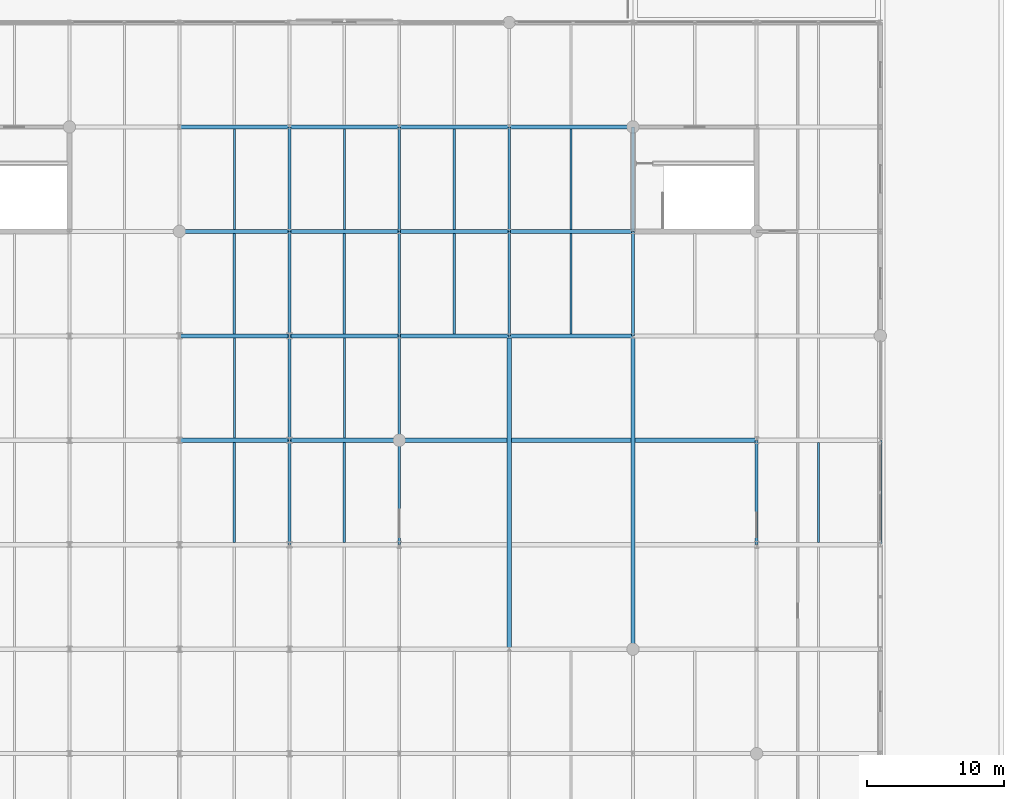
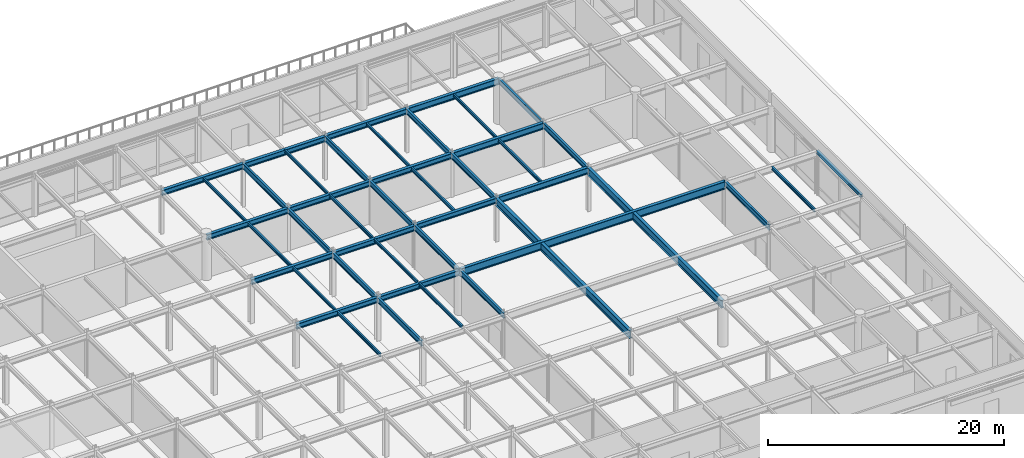
# One storey, part 20 of 43: 44 beams.
"""IFC4 building model written with IfcOpenShell, lengths in metres."""

from ifc_helpers import new_model, si_unit, direction, frame, origin, origin_2d, place, context, subcontext, project, spatial, i_section, extrude, material, material_profile, profile_set, type_object, element, save


model = new_model("IFC4")

# Units and contexts
model_context = context("Model", 3, precision=1e-05, world=origin(), true_north=direction((0.0, 1.0)))
body_context = subcontext(model_context, "Body", "Model", "MODEL_VIEW")
ifc_project = project(units=[si_unit("LENGTHUNIT", "METRE"), si_unit("AREAUNIT", "SQUARE_METRE"), si_unit("VOLUMEUNIT", "CUBIC_METRE"), si_unit("PLANEANGLEUNIT", "RADIAN"), si_unit("MASSUNIT", "GRAM", prefix="KILO")], contexts=[model_context])

# Site, building, storey
site_placement = place(None, origin())
site = spatial("IfcSite", under=ifc_project, at=site_placement, CompositionType="ELEMENT")
building_placement = place(site_placement, origin())
building = spatial("IfcBuilding", under=site, at=building_placement, Name="Shalkamar Park Central Library", CompositionType="ELEMENT")
storey_placement = place(building_placement, frame((0.0, 0.0, 15.60009765625)))
storey = spatial("IfcBuildingStorey", under=building, at=storey_placement, Name="L04", CompositionType="ELEMENT", Elevation=15.60009765625)

# Beams
ifc_material = material(Name="Steel S355", Category="steel")
ifc_material_profile_1 = material_profile(ifc_material, i_section(OverallWidth=0.14990234375, OverallDepth=0.300048828125, WebThickness=0.007080078125, FlangeThickness=0.0107421875, FilletRadius=0.014892578125, at=origin_2d()), Name="IPE 300")
ifc_profile_set_1 = profile_set([ifc_material_profile_1], Name="Steel S355")
beam_type_1 = type_object("IfcBeamType", Name="Composite Floor Joist IPE300", PredefinedType="JOIST", material=ifc_profile_set_1)
for number, where, z_axis, x_axis, name in (
    (1, (217.0, 285.748046875, 4.329833984375), (0.0, 1.0, 0.0), (-1.0, 0.0, 0.0), "Composite Joist 13/G-1 (L04)"),
    (2, (217.0, 300.947998046875, 4.329833984375), (0.0, 1.0, 0.0), (-1.0, 0.0, 0.0), "Composite Joist 13/J-1 (L04)"),
    (3, (225.0, 285.748046875, 4.419921875), (0.0, 1.0, 0.0), (-1.0, 0.0, 0.0), "Composite Joist 14/G-1 (L04)"),
    (4, (225.0, 300.947998046875, 4.39990234375), (0.0, 1.0, 0.0), (-1.0, 0.0, 0.0), "Composite Joist 14/J-1 (L04)"),
    (5, (233.0, 300.947998046875, 4.39990234375), (0.0, 1.0, 0.0), (-1.0, 0.0, 0.0), "Composite Joist 15/J-1 (L04)"),
    (6, (241.5, 300.947998046875, 4.39990234375), (0.0, 1.0, 0.0), (-1.0, 0.0, 0.0), "Composite Joist 16/J-1 (L04)"),
):
    element("IfcBeam", number, at=place(storey_placement, frame(where, z_axis=z_axis, x_axis=x_axis)), inside=storey, type_object=beam_type_1, Name=name, PredefinedType="JOIST", context=body_context, shape_type="SweptSolid", body=[
        extrude(i_section(OverallWidth=0.14990234375, OverallDepth=0.300048828125, WebThickness=0.007080078125, FlangeThickness=0.0107421875, FilletRadius=0.014892578125, at=origin_2d()), origin(), (0.0, 0.0, 1.0), 7.303955078125),
    ])
ifc_material_profile_2 = material_profile(ifc_material, i_section(OverallWidth=0.159912109375, OverallDepth=0.330078125, WebThickness=0.007568359375, FlangeThickness=0.011474609375, FilletRadius=0.01806640625, at=origin_2d()), Name="IPE 330")
ifc_profile_set_2 = profile_set([ifc_material_profile_2], Name="Steel S355")
beam_type_2 = type_object("IfcBeamType", Name="Composite Floor Joist IPE330", PredefinedType="JOIST", material=ifc_profile_set_2)
beam_1_placement = place(storey_placement, frame((217.0, 278.14794921875, 4.31494140625), z_axis=(0.0, 1.0, 0.0), x_axis=(-1.0, 0.0, 0.0)))
element("IfcBeam", 7, at=beam_1_placement, inside=storey, type_object=beam_type_2, Name="Composite Joist 13/F-1 (L04)", PredefinedType="JOIST", context=body_context, shape_type="SweptSolid", body=[
    extrude(i_section(OverallWidth=0.159912109375, OverallDepth=0.330078125, WebThickness=0.007568359375, FlangeThickness=0.011474609375, FilletRadius=0.01806640625, at=origin_2d()), origin(), (0.0, 0.0, 1.0), 7.303955078125),
])
beam_2_placement = place(storey_placement, frame((217.0, 293.347900390625, 4.31494140625), z_axis=(0.0, 1.0, 0.0), x_axis=(-1.0, 0.0, 0.0)))
element("IfcBeam", 8, at=beam_2_placement, inside=storey, type_object=beam_type_2, Name="Composite Joist 13/H-1 (L04)", PredefinedType="JOIST", context=body_context, shape_type="SweptSolid", body=[
    extrude(i_section(OverallWidth=0.159912109375, OverallDepth=0.330078125, WebThickness=0.007568359375, FlangeThickness=0.011474609375, FilletRadius=0.01806640625, at=origin_2d()), origin(), (0.0, 0.0, 1.0), 7.30419921875),
])
beam_3_placement = place(storey_placement, frame((225.0, 278.14794921875, 4.40478515625), z_axis=(0.0, 1.0, 0.0), x_axis=(-1.0, 0.0, 0.0)))
element("IfcBeam", 9, at=beam_3_placement, inside=storey, type_object=beam_type_2, Name="Composite Joist 14/F-1 (L04)", PredefinedType="JOIST", context=body_context, shape_type="SweptSolid", body=[
    extrude(i_section(OverallWidth=0.159912109375, OverallDepth=0.330078125, WebThickness=0.007568359375, FlangeThickness=0.011474609375, FilletRadius=0.01806640625, at=origin_2d()), origin(), (0.0, 0.0, 1.0), 7.303955078125),
])
for number, where, z_axis, x_axis, name in (
    (10, (225.0, 293.347900390625, 4.385009765625), (0.0, 1.0, 0.0), (-1.0, 0.0, 0.0), "Composite Joist 14/H-1 (L04)"),
    (11, (233.0, 293.347900390625, 4.385009765625), (0.0, 1.0, 0.0), (-1.0, 0.0, 0.0), "Composite Joist 15/H-1 (L04)"),
    (12, (241.5, 293.347900390625, 4.385009765625), (0.0, 1.0, 0.0), (-1.0, 0.0, 0.0), "Composite Joist 16/H-1 (L04)"),
):
    element("IfcBeam", number, at=place(storey_placement, frame(where, z_axis=z_axis, x_axis=x_axis)), inside=storey, type_object=beam_type_2, Name=name, PredefinedType="JOIST", context=body_context, shape_type="SweptSolid", body=[
        extrude(i_section(OverallWidth=0.159912109375, OverallDepth=0.330078125, WebThickness=0.007568359375, FlangeThickness=0.011474609375, FilletRadius=0.01806640625, at=origin_2d()), origin(), (0.0, 0.0, 1.0), 7.30419921875),
    ])
beam_4_placement = place(storey_placement, frame((259.5, 278.14794921875, 4.40478515625), z_axis=(0.0, 1.0, 0.0), x_axis=(-1.0, 0.0, 0.0)))
element("IfcBeam", 13, at=beam_4_placement, inside=storey, type_object=beam_type_2, Name="Composite Joist 18/F-1 (L04)", PredefinedType="JOIST", context=body_context, shape_type="SweptSolid", body=[
    extrude(i_section(OverallWidth=0.159912109375, OverallDepth=0.330078125, WebThickness=0.007568359375, FlangeThickness=0.011474609375, FilletRadius=0.01806640625, at=origin_2d()), origin(), (0.0, 0.0, 1.0), 7.303955078125),
])
ifc_material_profile_3 = material_profile(ifc_material, i_section(OverallWidth=0.280029296875, OverallDepth=0.27001953125, WebThickness=0.008056640625, FlangeThickness=0.012939453125, FilletRadius=0.02392578125, at=origin_2d()), Name="HEA 280")
ifc_profile_set_3 = profile_set([ifc_material_profile_3], Name="Steel S355")
beam_type_3 = type_object("IfcBeamType", Name="Perimeter Spandrel Beam HEA280", PredefinedType="SPANDREL", material=ifc_profile_set_3)
beam_5_placement = place(storey_placement, frame((264.0, 278.0, 4.434814453125), z_axis=(0.0, 1.0, 0.0), x_axis=(-1.0, 0.0, 0.0)))
element("IfcBeam", 14, at=beam_5_placement, inside=storey, type_object=beam_type_3, Name="Beam 19:F-G (L04)", PredefinedType="SPANDREL", context=body_context, shape_type="SweptSolid", body=[
    extrude(i_section(OverallWidth=0.280029296875, OverallDepth=0.27001953125, WebThickness=0.008056640625, FlangeThickness=0.012939453125, FilletRadius=0.02392578125, at=origin_2d()), origin(), (0.0, 0.0, 1.0), 7.60009765625),
])
ifc_material_profile_4 = material_profile(ifc_material, i_section(OverallWidth=0.300048828125, OverallDepth=0.550048828125, WebThickness=0.014892578125, FlangeThickness=0.029052734375, FilletRadius=0.027099609375, at=origin_2d()), Name="HEB 550")
ifc_profile_set_4 = profile_set([ifc_material_profile_4], Name="Steel S355")
beam_type_4 = type_object("IfcBeamType", Name="Primary Girder HEB550", PredefinedType="BEAM", material=ifc_profile_set_4)
for number, where, z_axis, x_axis, name in (
    (15, (213.0, 285.60009765625, 4.204833984375), (1.0, 0.0, 0.0), (0.0, 1.0, 0.0), "Beam G:13-14 (L04)"),
    (16, (221.0, 285.60009765625, 4.204833984375), (1.0, 0.0, 0.0), (0.0, 1.0, 0.0), "Beam G:14-15 (L04)"),
    (17, (213.0, 293.199951171875, 4.204833984375), (1.0, 0.0, 0.0), (0.0, 1.0, 0.0), "Beam H:13-14 (L04)"),
    (18, (221.0, 293.199951171875, 4.204833984375), (1.0, 0.0, 0.0), (0.0, 1.0, 0.0), "Beam H:14-15 (L04)"),
    (19, (229.0, 293.199951171875, 4.27490234375), (1.0, 0.0, 0.0), (0.0, 1.0, 0.0), "Beam H:15-16 (L04)"),
    (20, (213.0, 300.800048828125, 4.204833984375), (1.0, 0.0, 0.0), (0.0, 1.0, 0.0), "Beam J:13-14 (L04)"),
    (21, (221.0, 300.800048828125, 4.204833984375), (1.0, 0.0, 0.0), (0.0, 1.0, 0.0), "Beam J:14-15 (L04)"),
    (22, (229.0, 300.800048828125, 4.27490234375), (1.0, 0.0, 0.0), (0.0, 1.0, 0.0), "Beam J:15-16 (L04)"),
    (23, (213.0, 308.39990234375, 4.204833984375), (1.0, 0.0, 0.0), (0.0, 1.0, 0.0), "Beam K:13-14 (L04)"),
    (24, (221.0, 308.39990234375, 4.204833984375), (1.0, 0.0, 0.0), (0.0, 1.0, 0.0), "Beam K:14-15 (L04)"),
    (25, (229.0, 308.39990234375, 4.27490234375), (1.0, 0.0, 0.0), (0.0, 1.0, 0.0), "Beam K:15-16 (L04)"),
):
    element("IfcBeam", number, at=place(storey_placement, frame(where, z_axis=z_axis, x_axis=x_axis)), inside=storey, type_object=beam_type_4, Name=name, PredefinedType="BEAM", context=body_context, shape_type="SweptSolid", body=[
        extrude(i_section(OverallWidth=0.300048828125, OverallDepth=0.550048828125, WebThickness=0.014892578125, FlangeThickness=0.029052734375, FilletRadius=0.027099609375, at=origin_2d()), origin(), (0.0, 0.0, 1.0), 8.0),
    ])
ifc_material_profile_5 = material_profile(ifc_material, i_section(OverallWidth=0.300048828125, OverallDepth=0.64990234375, WebThickness=0.01611328125, FlangeThickness=0.031005859375, FilletRadius=0.027099609375, at=origin_2d()), Name="HEB 650")
ifc_profile_set_5 = profile_set([ifc_material_profile_5], Name="Steel S355")
beam_type_5 = type_object("IfcBeamType", Name="Primary Girder HEB650", PredefinedType="BEAM", material=ifc_profile_set_5)
for number, where, z_axis, x_axis, name in (
    (26, (237.0, 293.199951171875, 4.224853515625), (1.0, 0.0, 0.0), (0.0, 1.0, 0.0), "Beam H:16-17 (L04)"),
    (27, (237.0, 300.800048828125, 4.224853515625), (1.0, 0.0, 0.0), (0.0, 1.0, 0.0), "Beam J:16-17 (L04)"),
    (28, (237.0, 308.39990234375, 4.224853515625), (1.0, 0.0, 0.0), (0.0, 1.0, 0.0), "Beam K:16-17 (L04)"),
):
    element("IfcBeam", number, at=place(storey_placement, frame(where, z_axis=z_axis, x_axis=x_axis)), inside=storey, type_object=beam_type_5, Name=name, PredefinedType="BEAM", context=body_context, shape_type="SweptSolid", body=[
        extrude(i_section(OverallWidth=0.300048828125, OverallDepth=0.64990234375, WebThickness=0.01611328125, FlangeThickness=0.031005859375, FilletRadius=0.027099609375, at=origin_2d()), origin(), (0.0, 0.0, 1.0), 9.0),
    ])
ifc_material_profile_6 = material_profile(ifc_material, i_section(OverallWidth=0.300048828125, OverallDepth=0.800048828125, WebThickness=0.017578125, FlangeThickness=0.032958984375, FilletRadius=0.030029296875, at=origin_2d()), Name="HEB 800")
ifc_profile_set_6 = profile_set([ifc_material_profile_6], Name="Steel S355")
beam_type_6 = type_object("IfcBeamType", Name="Primary Girder HEB800", PredefinedType="BEAM", material=ifc_profile_set_6)
beam_6_placement = place(storey_placement, frame((229.0, 285.60009765625, 4.169921875), z_axis=(1.0, 0.0, 0.0), x_axis=(0.0, 1.0, 0.0)))
element("IfcBeam", 29, at=beam_6_placement, inside=storey, type_object=beam_type_6, Name="Beam G:15-18 (L04)", PredefinedType="BEAM", context=body_context, shape_type="SweptSolid", body=[
    extrude(i_section(OverallWidth=0.300048828125, OverallDepth=0.800048828125, WebThickness=0.017578125, FlangeThickness=0.032958984375, FilletRadius=0.030029296875, at=origin_2d()), origin(), (0.0, 0.0, 1.0), 26.0),
])
for number, where, z_axis, x_axis, name in (
    (30, (237.0, 270.39990234375, 4.14990234375), (0.0, 1.0, 0.0), (-1.0, 0.0, 0.0), "Beam 16:E-H (L04)"),
    (31, (246.0, 270.39990234375, 4.14990234375), (0.0, 1.0, 0.0), (-1.0, 0.0, 0.0), "Beam 17:E-H (L04)"),
):
    element("IfcBeam", number, at=place(storey_placement, frame(where, z_axis=z_axis, x_axis=x_axis)), inside=storey, type_object=beam_type_6, Name=name, PredefinedType="BEAM", context=body_context, shape_type="SweptSolid", body=[
        extrude(i_section(OverallWidth=0.300048828125, OverallDepth=0.800048828125, WebThickness=0.017578125, FlangeThickness=0.032958984375, FilletRadius=0.030029296875, at=origin_2d()), origin(), (0.0, 0.0, 1.0), 22.800048828125),
    ])
ifc_material_profile_7 = material_profile(ifc_material, i_section(OverallWidth=0.2099609375, OverallDepth=0.550048828125, WebThickness=0.010986328125, FlangeThickness=0.01708984375, FilletRadius=0.02392578125, at=origin_2d()), Name="IPE 550")
ifc_profile_set_7 = profile_set([ifc_material_profile_7], Name="Steel S355")
beam_type_7 = type_object("IfcBeamType", Name="Primary Girder IPE550", PredefinedType="BEAM", material=ifc_profile_set_7)
beam_7_placement = place(storey_placement, frame((221.0, 278.0, 4.204833984375), z_axis=(0.0, 1.0, 0.0), x_axis=(-1.0, 0.0, 0.0)))
element("IfcBeam", 32, at=beam_7_placement, inside=storey, type_object=beam_type_7, Name="Beam 14:F-G (L04)", PredefinedType="BEAM", context=body_context, shape_type="SweptSolid", body=[
    extrude(i_section(OverallWidth=0.2099609375, OverallDepth=0.550048828125, WebThickness=0.010986328125, FlangeThickness=0.01708984375, FilletRadius=0.02392578125, at=origin_2d()), origin(), (0.0, 0.0, 1.0), 7.60009765625),
])
beam_8_placement = place(storey_placement, frame((221.0, 285.60009765625, 4.204833984375), z_axis=(0.0, 1.0, 0.0), x_axis=(-1.0, 0.0, 0.0)))
element("IfcBeam", 33, at=beam_8_placement, inside=storey, type_object=beam_type_7, Name="Beam 14:G-H (L04)", PredefinedType="BEAM", context=body_context, shape_type="SweptSolid", body=[
    extrude(i_section(OverallWidth=0.2099609375, OverallDepth=0.550048828125, WebThickness=0.010986328125, FlangeThickness=0.01708984375, FilletRadius=0.02392578125, at=origin_2d()), origin(), (0.0, 0.0, 1.0), 7.599853515625),
])
beam_9_placement = place(storey_placement, frame((221.0, 293.199951171875, 4.204833984375), z_axis=(0.0, 1.0, 0.0), x_axis=(-1.0, 0.0, 0.0)))
element("IfcBeam", 34, at=beam_9_placement, inside=storey, type_object=beam_type_7, Name="Beam 14:H-J (L04)", PredefinedType="BEAM", context=body_context, shape_type="SweptSolid", body=[
    extrude(i_section(OverallWidth=0.2099609375, OverallDepth=0.550048828125, WebThickness=0.010986328125, FlangeThickness=0.01708984375, FilletRadius=0.02392578125, at=origin_2d()), origin(), (0.0, 0.0, 1.0), 7.60009765625),
])
beam_10_placement = place(storey_placement, frame((221.0, 300.800048828125, 4.204833984375), z_axis=(0.0, 1.0, 0.0), x_axis=(-1.0, 0.0, 0.0)))
element("IfcBeam", 35, at=beam_10_placement, inside=storey, type_object=beam_type_7, Name="Beam 14:J-K (L04)", PredefinedType="BEAM", context=body_context, shape_type="SweptSolid", body=[
    extrude(i_section(OverallWidth=0.2099609375, OverallDepth=0.550048828125, WebThickness=0.010986328125, FlangeThickness=0.01708984375, FilletRadius=0.02392578125, at=origin_2d()), origin(), (0.0, 0.0, 1.0), 7.599853515625),
])
beam_11_placement = place(storey_placement, frame((229.0, 278.0, 4.294921875), z_axis=(0.0, 1.0, 0.0), x_axis=(-1.0, 0.0, 0.0)))
element("IfcBeam", 36, at=beam_11_placement, inside=storey, type_object=beam_type_7, Name="Beam 15:F-G (L04)", PredefinedType="BEAM", context=body_context, shape_type="SweptSolid", body=[
    extrude(i_section(OverallWidth=0.2099609375, OverallDepth=0.550048828125, WebThickness=0.010986328125, FlangeThickness=0.01708984375, FilletRadius=0.02392578125, at=origin_2d()), origin(), (0.0, 0.0, 1.0), 7.60009765625),
])
beam_12_placement = place(storey_placement, frame((229.0, 285.60009765625, 4.27490234375), z_axis=(0.0, 1.0, 0.0), x_axis=(-1.0, 0.0, 0.0)))
element("IfcBeam", 37, at=beam_12_placement, inside=storey, type_object=beam_type_7, Name="Beam 15:G-H (L04)", PredefinedType="BEAM", context=body_context, shape_type="SweptSolid", body=[
    extrude(i_section(OverallWidth=0.2099609375, OverallDepth=0.550048828125, WebThickness=0.010986328125, FlangeThickness=0.01708984375, FilletRadius=0.02392578125, at=origin_2d()), origin(), (0.0, 0.0, 1.0), 7.599853515625),
])
beam_13_placement = place(storey_placement, frame((229.0, 293.199951171875, 4.27490234375), z_axis=(0.0, 1.0, 0.0), x_axis=(-1.0, 0.0, 0.0)))
element("IfcBeam", 38, at=beam_13_placement, inside=storey, type_object=beam_type_7, Name="Beam 15:H-J (L04)", PredefinedType="BEAM", context=body_context, shape_type="SweptSolid", body=[
    extrude(i_section(OverallWidth=0.2099609375, OverallDepth=0.550048828125, WebThickness=0.010986328125, FlangeThickness=0.01708984375, FilletRadius=0.02392578125, at=origin_2d()), origin(), (0.0, 0.0, 1.0), 7.60009765625),
])
beam_14_placement = place(storey_placement, frame((229.0, 300.800048828125, 4.27490234375), z_axis=(0.0, 1.0, 0.0), x_axis=(-1.0, 0.0, 0.0)))
element("IfcBeam", 39, at=beam_14_placement, inside=storey, type_object=beam_type_7, Name="Beam 15:J-K (L04)", PredefinedType="BEAM", context=body_context, shape_type="SweptSolid", body=[
    extrude(i_section(OverallWidth=0.2099609375, OverallDepth=0.550048828125, WebThickness=0.010986328125, FlangeThickness=0.01708984375, FilletRadius=0.02392578125, at=origin_2d()), origin(), (0.0, 0.0, 1.0), 7.599853515625),
])
beam_15_placement = place(storey_placement, frame((237.0, 293.199951171875, 4.27490234375), z_axis=(0.0, 1.0, 0.0), x_axis=(-1.0, 0.0, 0.0)))
element("IfcBeam", 40, at=beam_15_placement, inside=storey, type_object=beam_type_7, Name="Beam 16:H-J (L04)", PredefinedType="BEAM", context=body_context, shape_type="SweptSolid", body=[
    extrude(i_section(OverallWidth=0.2099609375, OverallDepth=0.550048828125, WebThickness=0.010986328125, FlangeThickness=0.01708984375, FilletRadius=0.02392578125, at=origin_2d()), origin(), (0.0, 0.0, 1.0), 7.60009765625),
])
beam_16_placement = place(storey_placement, frame((237.0, 300.800048828125, 4.27490234375), z_axis=(0.0, 1.0, 0.0), x_axis=(-1.0, 0.0, 0.0)))
element("IfcBeam", 41, at=beam_16_placement, inside=storey, type_object=beam_type_7, Name="Beam 16:J-K (L04)", PredefinedType="BEAM", context=body_context, shape_type="SweptSolid", body=[
    extrude(i_section(OverallWidth=0.2099609375, OverallDepth=0.550048828125, WebThickness=0.010986328125, FlangeThickness=0.01708984375, FilletRadius=0.02392578125, at=origin_2d()), origin(), (0.0, 0.0, 1.0), 7.599853515625),
])
beam_17_placement = place(storey_placement, frame((246.0, 293.199951171875, 4.27490234375), z_axis=(0.0, 1.0, 0.0), x_axis=(-1.0, 0.0, 0.0)))
element("IfcBeam", 42, at=beam_17_placement, inside=storey, type_object=beam_type_7, Name="Beam 17:H-J (L04)", PredefinedType="BEAM", context=body_context, shape_type="SweptSolid", body=[
    extrude(i_section(OverallWidth=0.2099609375, OverallDepth=0.550048828125, WebThickness=0.010986328125, FlangeThickness=0.01708984375, FilletRadius=0.02392578125, at=origin_2d()), origin(), (0.0, 0.0, 1.0), 7.60009765625),
])
beam_18_placement = place(storey_placement, frame((246.0, 300.800048828125, 4.27490234375), z_axis=(0.0, 1.0, 0.0), x_axis=(-1.0, 0.0, 0.0)))
element("IfcBeam", 43, at=beam_18_placement, inside=storey, type_object=beam_type_7, Name="Beam 17:J-K (L04)", PredefinedType="BEAM", context=body_context, shape_type="SweptSolid", body=[
    extrude(i_section(OverallWidth=0.2099609375, OverallDepth=0.550048828125, WebThickness=0.010986328125, FlangeThickness=0.01708984375, FilletRadius=0.02392578125, at=origin_2d()), origin(), (0.0, 0.0, 1.0), 7.599853515625),
])
beam_19_placement = place(storey_placement, frame((255.0, 278.0, 4.294921875), z_axis=(0.0, 1.0, 0.0), x_axis=(-1.0, 0.0, 0.0)))
element("IfcBeam", 44, at=beam_19_placement, inside=storey, type_object=beam_type_7, Name="Beam 18:F-G (L04)", PredefinedType="BEAM", context=body_context, shape_type="SweptSolid", body=[
    extrude(i_section(OverallWidth=0.2099609375, OverallDepth=0.550048828125, WebThickness=0.010986328125, FlangeThickness=0.01708984375, FilletRadius=0.02392578125, at=origin_2d()), origin(), (0.0, 0.0, 1.0), 7.60009765625),
])

save(model, "model.ifc")
